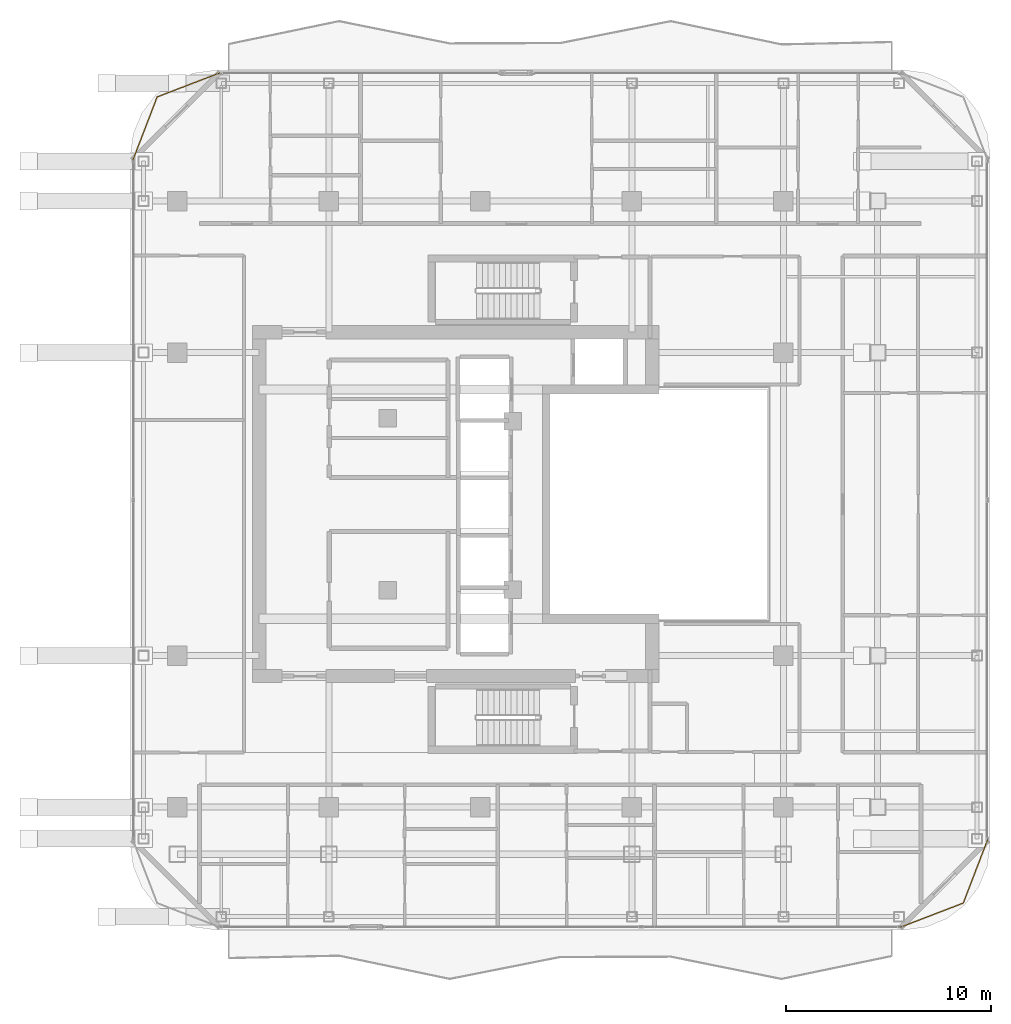
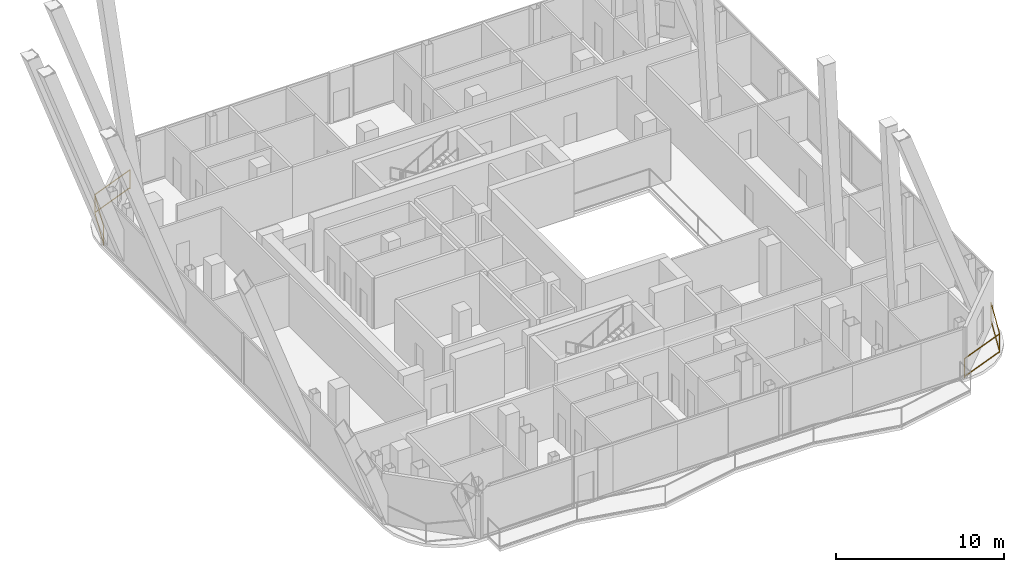
# One storey, part 26 of 27: 2 railings.
"""IFC4 building model written with IfcOpenShell, lengths in metres."""

from ifc_helpers import new_model, si_unit, direction, frame, origin, origin_2d, place, context, subcontext, project, spatial, rectangle, extrude, material, type_object, element, save


model = new_model("IFC4")

# Units and contexts
model_context = context("Model", 3, precision=1e-05, world=origin(), true_north=direction((0.0, 1.0)))
body_context = subcontext(model_context, "Body", "Model", "MODEL_VIEW")
ifc_project = project(units=[si_unit("LENGTHUNIT", "METRE"), si_unit("AREAUNIT", "SQUARE_METRE"), si_unit("VOLUMEUNIT", "CUBIC_METRE"), si_unit("PLANEANGLEUNIT", "RADIAN"), si_unit("MASSUNIT", "GRAM", prefix="KILO")], contexts=[model_context])

# Site, building, storey
site_placement = place(None, origin())
site = spatial("IfcSite", under=ifc_project, at=site_placement, CompositionType="ELEMENT")
building_placement = place(site_placement, origin())
building = spatial("IfcBuilding", under=site, at=building_placement, Name="Khorvyn Point Tower", CompositionType="ELEMENT")
storey_placement = place(building_placement, frame((0.0, 0.0, 270.300048828125)))
storey = spatial("IfcBuildingStorey", under=building, at=storey_placement, Name="L66", CompositionType="ELEMENT", Elevation=270.300048828125)

# Railings
ifc_material = material(Name="Anodised aluminium 6063-T6 and laminated safety glass", Category="aluminium")
railing_type = type_object("IfcRailingType", Name="Laminated Glass and Aluminium Balcony Guardrail 1400", PredefinedType="BALUSTRADE", material=ifc_material)
railing_1_placement = place(storey_placement, frame((-12.6865234375, 21.074462890625, 0.0)))
element("IfcRailing", 1, at=railing_1_placement, inside=storey, type_object=railing_type, Name="L66 Rounded Corner Edge Guardrail NW", PredefinedType="BALUSTRADE", context=body_context, shape_type="SweptSolid", body=[
    extrude(rectangle(XDim=0.048095703125, YDim=0.048095703125, at=origin_2d()), frame((0.0, 0.0, 1.3759765625), z_axis=(-0.93357103624, -0.358392411044, 0.0), x_axis=(0.358392411044, -0.93357103624, 0.0)), (0.0, 0.0, 1.0), 3.31884765625),
    extrude(rectangle(XDim=0.048095703125, YDim=0.048095703125, at=origin_2d()), frame((0.0, 0.0, 0.080078125), z_axis=(-0.93357103624, -0.358392411044, 0.0), x_axis=(0.358392411044, -0.93357103624, 0.0)), (0.0, 0.0, 1.0), 3.31884765625),
    extrude(rectangle(XDim=0.048095703125, YDim=0.048095703125, at=origin_2d()), frame((-3.098388671875, -1.189453125, 1.3759765625), z_axis=(-0.358392411044, -0.93357103624, 0.0), x_axis=(0.93357103624, -0.358392411044, 0.0)), (0.0, 0.0, 1.0), 3.31884765625),
    extrude(rectangle(XDim=0.048095703125, YDim=0.048095703125, at=origin_2d()), frame((-3.098388671875, -1.189453125, 0.080078125), z_axis=(-0.358392411044, -0.93357103624, 0.0), x_axis=(0.93357103624, -0.358392411044, 0.0)), (0.0, 0.0, 1.0), 3.31884765625),
    extrude(rectangle(XDim=0.0419921875, YDim=0.0419921875, at=origin_2d()), origin(), (0.0, 0.0, 1.0), 1.351806640625),
    extrude(rectangle(XDim=0.0419921875, YDim=0.0419921875, at=origin_2d()), frame((-3.098388671875, -1.189453125, 0.0)), (0.0, 0.0, 1.0), 1.351806640625),
    extrude(rectangle(XDim=0.0419921875, YDim=0.0419921875, at=origin_2d()), frame((-4.287841796875, -4.287841796875, 0.0)), (0.0, 0.0, 1.0), 1.351806640625),
])
railing_2_placement = place(storey_placement, frame((20.486572265625, -20.67431640625, 0.0)))
element("IfcRailing", 2, at=railing_2_placement, inside=storey, type_object=railing_type, Name="L66 Rounded Corner Edge Guardrail SE", PredefinedType="BALUSTRADE", context=body_context, shape_type="SweptSolid", body=[
    extrude(rectangle(XDim=0.048095703125, YDim=0.048095703125, at=origin_2d()), frame((0.0, 0.0, 1.3759765625), z_axis=(0.933595647299, 0.358328295484, 0.0), x_axis=(-0.358328295484, 0.933595647299, 0.0)), (0.0, 0.0, 1.0), 3.31884765625),
    extrude(rectangle(XDim=0.048095703125, YDim=0.048095703125, at=origin_2d()), frame((0.0, 0.0, 0.080078125), z_axis=(0.933595647299, 0.358328295484, 0.0), x_axis=(-0.358328295484, 0.933595647299, 0.0)), (0.0, 0.0, 1.0), 3.31884765625),
    extrude(rectangle(XDim=0.048095703125, YDim=0.048095703125, at=origin_2d()), frame((3.098388671875, 1.189208984375, 1.3759765625), z_axis=(0.358367799998, 0.933580483903, 0.0), x_axis=(-0.933580483903, 0.358367799998, 0.0)), (0.0, 0.0, 1.0), 3.319091796875),
    extrude(rectangle(XDim=0.048095703125, YDim=0.048095703125, at=origin_2d()), frame((3.098388671875, 1.189208984375, 0.080078125), z_axis=(0.358367799998, 0.933580483903, 0.0), x_axis=(-0.933580483903, 0.358367799998, 0.0)), (0.0, 0.0, 1.0), 3.319091796875),
    extrude(rectangle(XDim=0.0419921875, YDim=0.0419921875, at=origin_2d()), origin(), (0.0, 0.0, 1.0), 1.351806640625),
    extrude(rectangle(XDim=0.0419921875, YDim=0.0419921875, at=origin_2d()), frame((3.098388671875, 1.189208984375, 0.0)), (0.0, 0.0, 1.0), 1.351806640625),
    extrude(rectangle(XDim=0.0419921875, YDim=0.0419921875, at=origin_2d()), frame((4.287841796875, 4.287841796875, 0.0)), (0.0, 0.0, 1.0), 1.351806640625),
])

save(model, "model.ifc")
